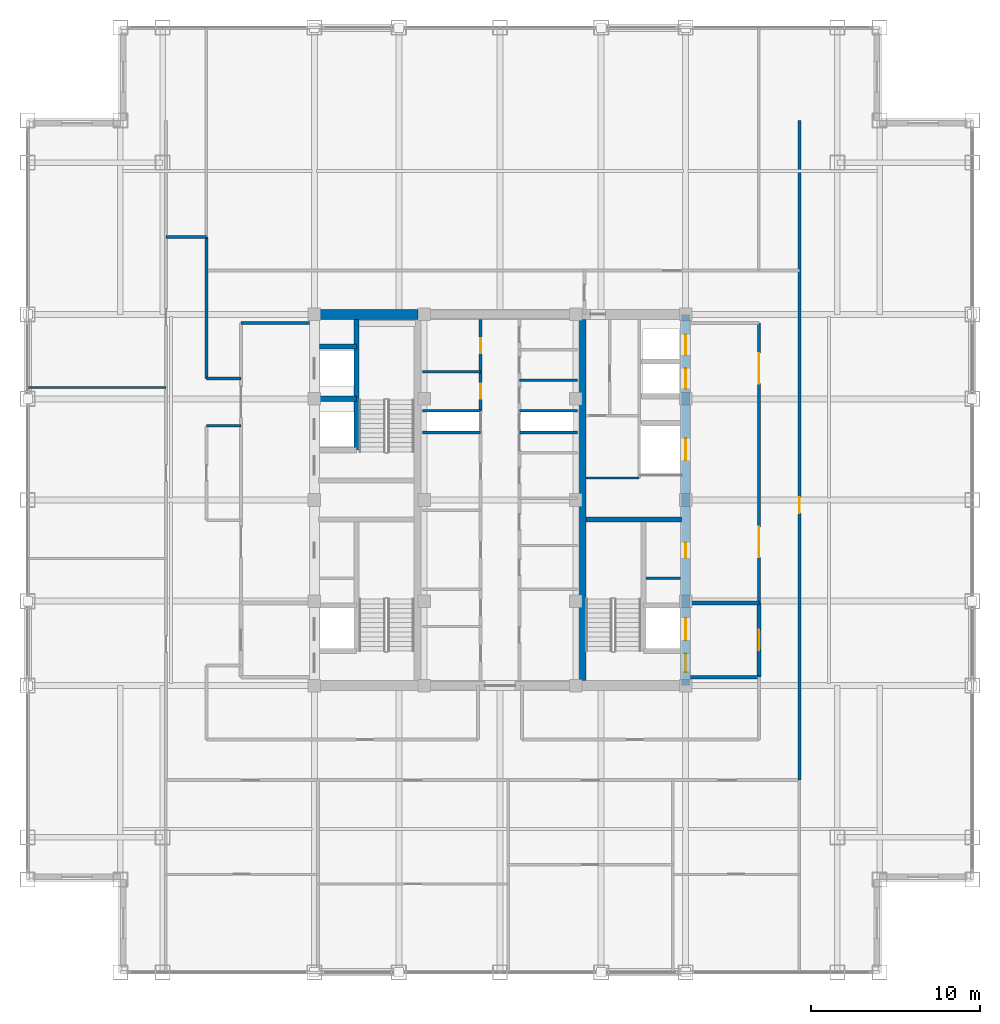
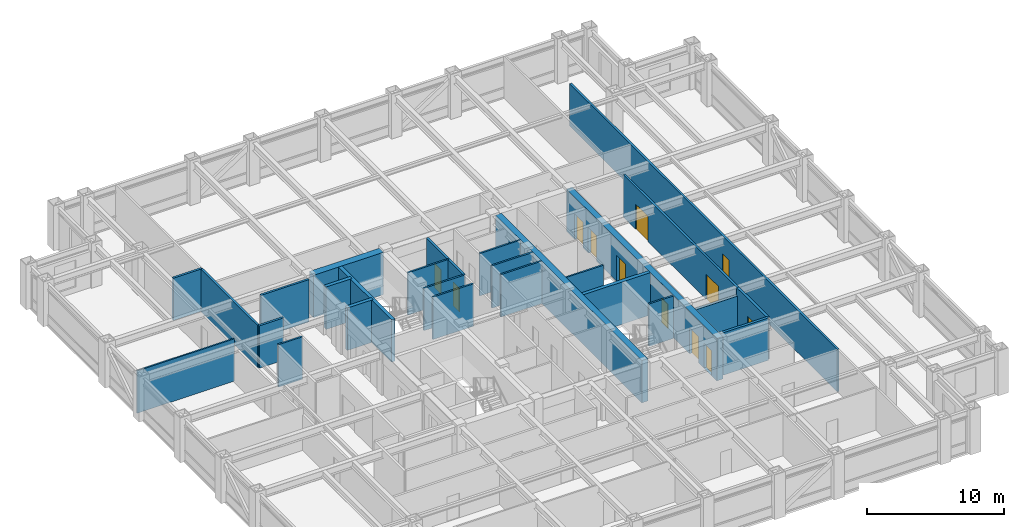
# One storey, part 20 of 22: 27 walls, 12 doors, 12 openings.
"""IFC4 building model written with IfcOpenShell, lengths in metres."""

from ifc_helpers import new_model, si_unit, direction, frame, frame_2d, origin, place, context, subcontext, project, spatial, rectangle, extrude, source, transform, mapped, material, layer, layer_set, type_object, element, fill, save


model = new_model("IFC4")

# Units and contexts
model_context = context("Model", 3, precision=1e-05, world=origin(), true_north=direction((0.0, 1.0)))
body_context = subcontext(model_context, "Body", "Model", "MODEL_VIEW")
ifc_project = project(units=[si_unit("LENGTHUNIT", "METRE"), si_unit("AREAUNIT", "SQUARE_METRE"), si_unit("VOLUMEUNIT", "CUBIC_METRE"), si_unit("PLANEANGLEUNIT", "RADIAN"), si_unit("MASSUNIT", "GRAM", prefix="KILO")], contexts=[model_context])

# Site, building, storey
site_placement = place(None, origin())
site = spatial("IfcSite", under=ifc_project, at=site_placement, CompositionType="ELEMENT")
building_placement = place(site_placement, origin())
building = spatial("IfcBuilding", under=site, at=building_placement, Name="Khorayat Bourse Tower", CompositionType="ELEMENT")
storey_placement = place(building_placement, frame((0.0, 0.0, 297.5)))
storey = spatial("IfcBuildingStorey", under=building, at=storey_placement, Name="L70", CompositionType="ELEMENT", Elevation=297.5)

# Wall, openings, doors
ifc_material_1 = material(Name="Concrete C52/65", Category="concrete")
ifc_layer_1 = layer(ifc_material_1, 0.5)
ifc_layer_set_1 = layer_set([ifc_layer_1], Name="Concrete C52/65")
wall_type_1 = type_object("IfcWallType", Name="WAL-CORE-500", PredefinedType="SHEAR", material=ifc_layer_set_1)
shared_shape_1 = source(origin(), body_context, "Body", "SweptSolid", [
    extrude(rectangle(XDim=22.0, YDim=0.5, at=frame_2d((11.0, 0.0))), origin(), (0.0, 0.0, 1.0), 3.780029296875),
])
wall_1_placement = place(storey_placement, frame((11.0, -11.0, 0.0), z_axis=(0.0, 0.0, 1.0), x_axis=(0.0, 1.0, 0.0)))
wall_1 = element("IfcWall", 1, at=wall_1_placement, inside=storey, type_object=wall_type_1, Name="L70 Core Shear Wall CORE-E", PredefinedType="SHEAR", context=body_context, shape_type="MappedRepresentation", body=[
    mapped(shared_shape_1, transform((0.0, 0.0, 0.0), scale=1.0)),
])
shared_shape_2 = source(origin(), body_context, "Body", "SweptSolid", [
    extrude(rectangle(XDim=1.10009765625, YDim=2.199951171875, at=frame_2d((0.550048828125, 1.10009765625))), frame((0.0, 0.260009765625, 0.0), z_axis=(0.0, -1.0, 0.0), x_axis=(1.0, 0.0, 0.0)), (0.0, 0.0, 1.0), 0.52001953125),
])
opening_1_placement = place(wall_1_placement, frame((0.800048828125, 0.0, 0.0)))
opening_1 = element("IfcOpeningElement", 2, at=opening_1_placement, cuts=wall_1, Name="Opening DI-01", PredefinedType="OPENING", context=body_context, shape_type="MappedRepresentation", body=[
    mapped(shared_shape_2, transform((0.0, 0.0, 0.0), scale=1.0)),
])
shared_shape_3 = source(origin(), body_context, "Body", "SweptSolid", [
    extrude(rectangle(XDim=0.89990234375, YDim=2.14990234375, at=frame_2d((0.449951171875, 1.074951171875))), frame((0.0, 0.260009765625, 0.0), z_axis=(0.0, -1.0, 0.0), x_axis=(1.0, 0.0, 0.0)), (0.0, 0.0, 1.0), 0.52001953125),
])
opening_2_placement = place(wall_1_placement, frame((7.574951171875, 0.0, 0.0)))
opening_2 = element("IfcOpeningElement", 3, at=opening_2_placement, cuts=wall_1, Name="Opening DI-06", PredefinedType="OPENING", context=body_context, shape_type="MappedRepresentation", body=[
    mapped(shared_shape_3, transform((0.0, 0.0, 0.0), scale=1.0)),
])
shared_shape_4 = source(origin(), body_context, "Body", "SweptSolid", [
    extrude(rectangle(XDim=1.199951171875, YDim=2.300048828125, at=frame_2d((0.60009765625, 1.14990234375))), frame((0.0, 0.260009765625, 0.0), z_axis=(0.0, -1.0, 0.0), x_axis=(1.0, 0.0, 0.0)), (0.0, 0.0, 1.0), 0.52001953125),
])
opening_3_placement = place(wall_1_placement, frame((17.60009765625, 0.0, 0.0)))
opening_3 = element("IfcOpeningElement", 4, at=opening_3_placement, cuts=wall_1, Name="Opening LD-01", PredefinedType="OPENING", context=body_context, shape_type="MappedRepresentation", body=[
    mapped(shared_shape_4, transform((0.0, 0.0, 0.0), scale=1.0)),
])
opening_4_placement = place(wall_1_placement, frame((19.60009765625, 0.0, 0.0)))
opening_4 = element("IfcOpeningElement", 5, at=opening_4_placement, cuts=wall_1, Name="Opening LD-01", PredefinedType="OPENING", context=body_context, shape_type="MappedRepresentation", body=[
    mapped(shared_shape_4, transform((0.0, 0.0, 0.0), scale=1.0)),
])
shared_shape_5 = source(origin(), body_context, "Body", "SweptSolid", [
    extrude(rectangle(XDim=1.300048828125, YDim=2.300048828125, at=frame_2d((0.64990234375, 1.14990234375))), frame((0.0, 0.260009765625, 0.0), z_axis=(0.0, -1.0, 0.0), x_axis=(1.0, 0.0, 0.0)), (0.0, 0.0, 1.0), 0.52001953125),
])
opening_5_placement = place(wall_1_placement, frame((2.699951171875, 0.0, 0.0)))
opening_5 = element("IfcOpeningElement", 6, at=opening_5_placement, cuts=wall_1, Name="Opening LD-02", PredefinedType="OPENING", context=body_context, shape_type="MappedRepresentation", body=[
    mapped(shared_shape_5, transform((0.0, 0.0, 0.0), scale=1.0)),
])
opening_6_placement = place(wall_1_placement, frame((13.35009765625, 0.0, 0.0)))
opening_6 = element("IfcOpeningElement", 7, at=opening_6_placement, cuts=wall_1, Name="Opening LD-02", PredefinedType="OPENING", context=body_context, shape_type="MappedRepresentation", body=[
    mapped(shared_shape_5, transform((0.0, 0.0, 0.0), scale=1.0)),
])
ifc_material_2 = material(Name="Fire-rated steel acoustic leaf", Category="steel")
door_type_1 = type_object("IfcDoorType", Name="DR-INT-STAIR-1100", OperationType="NOTDEFINED", PredefinedType="DOOR", material=ifc_material_2)
shared_shape_6 = source(origin(), body_context, "Body", "SweptSolid", [
    extrude(rectangle(XDim=1.10009765625, YDim=2.199951171875, at=frame_2d((0.550048828125, 1.10009765625))), frame((0.0, 0.02490234375, 0.0), z_axis=(0.0, -1.0, 0.0), x_axis=(1.0, 0.0, 0.0)), (0.0, 0.0, 1.0), 0.050048828125),
])
door_1_placement = place(opening_1_placement, origin())
door_1 = element("IfcDoor", 8, at=door_1_placement, inside=storey, type_object=door_type_1, Name="L70 Exit Stair 3 Door", OperationType="SINGLE_SWING_LEFT", OverallHeight=2.199951171875, OverallWidth=1.10009765625, PredefinedType="DOOR", context=body_context, shape_type="MappedRepresentation", body=[
    mapped(shared_shape_6, transform((0.0, 0.0, 0.0), scale=1.0)),
])
fill(opening_1, door_1)
ifc_material_3 = material(Name="Moisture-resistant laminate washroom door")
door_type_2 = type_object("IfcDoorType", Name="DR-INT-WC-900", OperationType="NOTDEFINED", PredefinedType="DOOR", material=ifc_material_3)
shared_shape_7 = source(origin(), body_context, "Body", "SweptSolid", [
    extrude(rectangle(XDim=0.89990234375, YDim=2.14990234375, at=frame_2d((0.449951171875, 1.074951171875))), frame((0.0, 0.02490234375, 0.0), z_axis=(0.0, -1.0, 0.0), x_axis=(1.0, 0.0, 0.0)), (0.0, 0.0, 1.0), 0.050048828125),
])
door_2_placement = place(opening_2_placement, origin())
door_2 = element("IfcDoor", 9, at=door_2_placement, inside=storey, type_object=door_type_2, Name="L70 Fiber Server Plant Room Door", OperationType="SINGLE_SWING_LEFT", OverallHeight=2.14990234375, OverallWidth=0.89990234375, PredefinedType="DOOR", context=body_context, shape_type="MappedRepresentation", body=[
    mapped(shared_shape_7, transform((0.0, 0.0, 0.0), scale=1.0)),
])
fill(opening_2, door_2)
ifc_material_4 = material(Name="Brushed bronze stainless-steel sliding door", Category="steel")
door_type_3 = type_object("IfcDoorType", Name="DR-LIFT-PASS-1200", OperationType="NOTDEFINED", PredefinedType="DOOR", material=ifc_material_4)
shared_shape_8 = source(origin(), body_context, "Body", "SweptSolid", [
    extrude(rectangle(XDim=1.199951171875, YDim=2.300048828125, at=frame_2d((0.60009765625, 1.14990234375))), frame((0.0, 0.02490234375, 0.0), z_axis=(0.0, -1.0, 0.0), x_axis=(1.0, 0.0, 0.0)), (0.0, 0.0, 1.0), 0.050048828125),
])
door_3_placement = place(opening_3_placement, origin())
door_3 = element("IfcDoor", 10, at=door_3_placement, inside=storey, type_object=door_type_3, Name="L70 Lift PL-H3 Sliding Landing Door", OperationType="SLIDING_TO_LEFT", OverallHeight=2.300048828125, OverallWidth=1.199951171875, PredefinedType="DOOR", context=body_context, shape_type="MappedRepresentation", body=[
    mapped(shared_shape_8, transform((0.0, 0.0, 0.0), scale=1.0)),
])
fill(opening_3, door_3)
door_4_placement = place(opening_4_placement, origin())
door_4 = element("IfcDoor", 11, at=door_4_placement, inside=storey, type_object=door_type_3, Name="L70 Lift PL-H4 Sliding Landing Door", OperationType="SLIDING_TO_LEFT", OverallHeight=2.300048828125, OverallWidth=1.199951171875, PredefinedType="DOOR", context=body_context, shape_type="MappedRepresentation", body=[
    mapped(shared_shape_8, transform((0.0, 0.0, 0.0), scale=1.0)),
])
fill(opening_4, door_4)
ifc_material_5 = material(Name="Fire-rated stainless-steel sliding landing door", Category="steel")
door_type_4 = type_object("IfcDoorType", Name="DR-LIFT-FF-1300", OperationType="NOTDEFINED", PredefinedType="DOOR", material=ifc_material_5)
shared_shape_9 = source(origin(), body_context, "Body", "SweptSolid", [
    extrude(rectangle(XDim=1.300048828125, YDim=2.300048828125, at=frame_2d((0.64990234375, 1.14990234375))), frame((0.0, 0.02490234375, 0.0), z_axis=(0.0, -1.0, 0.0), x_axis=(1.0, 0.0, 0.0)), (0.0, 0.0, 1.0), 0.050048828125),
])
door_5_placement = place(opening_5_placement, origin())
door_5 = element("IfcDoor", 12, at=door_5_placement, inside=storey, type_object=door_type_4, Name="L70 Lift FFL-02 Sliding Landing Door", OperationType="SLIDING_TO_LEFT", OverallHeight=2.300048828125, OverallWidth=1.300048828125, PredefinedType="DOOR", context=body_context, shape_type="MappedRepresentation", body=[
    mapped(shared_shape_9, transform((0.0, 0.0, 0.0), scale=1.0)),
])
fill(opening_5, door_5)
door_6_placement = place(opening_6_placement, origin())
door_6 = element("IfcDoor", 13, at=door_6_placement, inside=storey, type_object=door_type_4, Name="L70 Lift SVL-01 Sliding Landing Door", OperationType="SLIDING_TO_LEFT", OverallHeight=2.300048828125, OverallWidth=1.300048828125, PredefinedType="DOOR", context=body_context, shape_type="MappedRepresentation", body=[
    mapped(shared_shape_9, transform((0.0, 0.0, 0.0), scale=1.0)),
])
fill(opening_6, door_6)

# Walls
shared_shape_10 = source(origin(), body_context, "Body", "SweptSolid", [
    extrude(rectangle(XDim=21.39990234375, YDim=0.5, at=frame_2d((10.699951171875, 0.0))), origin(), (0.0, 0.0, 1.0), 3.780029296875),
])
wall_2_placement = place(storey_placement, frame((4.85009765625, -10.699951171875, 0.0), z_axis=(0.0, 0.0, 1.0), x_axis=(0.0, 1.0, 0.0)))
element("IfcWall", 14, at=wall_2_placement, inside=storey, type_object=wall_type_1, Name="L70 Core Shear Wall PIER-E", PredefinedType="SHEAR", context=body_context, shape_type="MappedRepresentation", body=[
    mapped(shared_shape_10, transform((0.0, 0.0, 0.0), scale=1.0)),
])
ifc_material_6 = material(Name="Concrete C60/75", Category="concrete")
ifc_layer_2 = layer(ifc_material_6, 0.60009765625)
ifc_layer_set_2 = layer_set([ifc_layer_2], Name="Concrete C60/75")
wall_type_2 = type_object("IfcWallType", Name="WAL-CORE-600", PredefinedType="SHEAR", material=ifc_layer_set_2)
shared_shape_11 = source(origin(), body_context, "Body", "SweptSolid", [
    extrude(rectangle(XDim=5.89990234375, YDim=0.60009765625, at=frame_2d((2.949951171875, 0.0))), origin(), (0.0, 0.0, 1.0), 3.780029296875),
])
wall_3_placement = place(storey_placement, frame((-10.75, 11.0, 0.0), z_axis=(0.0, 0.0, 1.0), x_axis=(1.0, 0.0, 0.0)))
element("IfcWall", 15, at=wall_3_placement, inside=storey, type_object=wall_type_2, Name="L70 Core Shear Wall PIER-WN", PredefinedType="SHEAR", context=body_context, shape_type="MappedRepresentation", body=[
    mapped(shared_shape_11, transform((0.0, 0.0, 0.0), scale=1.0)),
])
ifc_material_7 = material(Name="Concrete C50/60", Category="concrete")
ifc_layer_3 = layer(ifc_material_7, 0.300048828125)
ifc_layer_set_3 = layer_set([ifc_layer_3], Name="Concrete C50/60")
wall_type_3 = type_object("IfcWallType", Name="WAL-SHAFT-300", PredefinedType="SHEAR", material=ifc_layer_set_3)
shared_shape_12 = source(origin(), body_context, "Body", "SweptSolid", [
    extrude(rectangle(XDim=5.64990234375, YDim=0.300048828125, at=frame_2d((2.824951171875, 0.0))), origin(), (0.0, 0.0, 1.0), 3.780029296875),
])
wall_4_placement = place(storey_placement, frame((5.10009765625, -1.14990234375, 0.0), z_axis=(0.0, 0.0, 1.0), x_axis=(1.0, 0.0, 0.0)))
element("IfcWall", 16, at=wall_4_placement, inside=storey, type_object=wall_type_3, Name="L70 Core Shear Wall ST3-DIV", PredefinedType="SHEAR", context=body_context, shape_type="MappedRepresentation", body=[
    mapped(shared_shape_12, transform((0.0, 0.0, 0.0), scale=1.0)),
])
ifc_material_8 = material(Name="Aerated concrete blockwork", Category="masonry")
ifc_layer_4 = layer(ifc_material_8, 0.219970703125)
ifc_layer_set_4 = layer_set([ifc_layer_4], Name="Aerated concrete blockwork")
wall_type_4 = type_object("IfcWallType", Name="WAL-PART-FF-220", PredefinedType="PARTITIONING", material=ifc_layer_set_4)
shared_shape_13 = source(origin(), body_context, "Body", "SweptSolid", [
    extrude(rectangle(XDim=4.050048828125, YDim=0.219970703125, at=frame_2d((2.02490234375, 0.0))), origin(), (0.0, 0.0, 1.0), 3.0849609375),
])
wall_5_placement = place(storey_placement, frame((11.300048828125, -6.10009765625, 0.0), z_axis=(0.0, 0.0, 1.0), x_axis=(1.0, 0.0, 0.0)))
element("IfcWall", 17, at=wall_5_placement, inside=storey, type_object=wall_type_4, Name="L70 Partition WAL-L70-FFLE-N", PredefinedType="PARTITIONING", context=body_context, shape_type="MappedRepresentation", body=[
    mapped(shared_shape_13, transform((0.0, 0.0, 0.0), scale=1.0)),
])
shared_shape_14 = source(origin(), body_context, "Body", "SweptSolid", [
    extrude(rectangle(XDim=2.199951171875, YDim=0.300048828125, at=frame_2d((1.10009765625, 0.0))), origin(), (0.0, 0.0, 1.0), 3.780029296875),
])
for number, where, z_axis, x_axis, name in (
    (18, (-10.699951171875, 6.0, 0.0), (0.0, 0.0, 1.0), (1.0, 0.0, 0.0), "L70 Partition WAL-L70-WPIER-H12"),
    (19, (-10.699951171875, 9.10009765625, 0.0), (0.0, 0.0, 1.0), (1.0, 0.0, 0.0), "L70 Partition WAL-L70-WPIER-H2N"),
):
    element("IfcWall", number, at=place(storey_placement, frame(where, z_axis=z_axis, x_axis=x_axis)), inside=storey, type_object=wall_type_3, Name=name, PredefinedType="SHEAR", context=body_context, shape_type="MappedRepresentation", body=[
        mapped(shared_shape_14, transform((0.0, 0.0, 0.0), scale=1.0)),
    ])
shared_shape_15 = source(origin(), body_context, "Body", "SweptSolid", [
    extrude(rectangle(XDim=7.75, YDim=0.300048828125, at=frame_2d((3.875, 0.0))), origin(), (0.0, 0.0, 1.0), 3.780029296875),
])
wall_6_placement = place(storey_placement, frame((-8.5, 2.949951171875, 0.0), z_axis=(0.0, 0.0, 1.0), x_axis=(0.0, 1.0, 0.0)))
element("IfcWall", 20, at=wall_6_placement, inside=storey, type_object=wall_type_3, Name="L70 Partition WAL-L70-WPIER-ST2S", PredefinedType="SHEAR", context=body_context, shape_type="MappedRepresentation", body=[
    mapped(shared_shape_15, transform((0.0, 0.0, 0.0), scale=1.0)),
])
ifc_material_9 = material(Name="Gypsum plasterboard twin-frame partition")
ifc_layer_5 = layer(ifc_material_9, 0.14990234375)
ifc_layer_set_5 = layer_set([ifc_layer_5], Name="Gypsum plasterboard twin-frame partition")
wall_type_5 = type_object("IfcWallType", Name="WAL-PART-SUITE-150", PredefinedType="PARTITIONING", material=ifc_layer_set_5)
shared_shape_16 = source(origin(), body_context, "Body", "SweptSolid", [
    extrude(rectangle(XDim=2.050048828125, YDim=0.14990234375, at=frame_2d((1.02490234375, 0.0))), origin(), (0.0, 0.0, 1.0), 3.780029296875),
])
wall_7_placement = place(storey_placement, frame((8.64990234375, -4.64990234375, 0.0), z_axis=(0.0, 0.0, 1.0), x_axis=(1.0, 0.0, 0.0)))
element("IfcWall", 21, at=wall_7_placement, inside=storey, type_object=wall_type_5, Name="L70 Partition WAL-L70-ESRV-S0", PredefinedType="PARTITIONING", context=body_context, shape_type="MappedRepresentation", body=[
    mapped(shared_shape_16, transform((0.0, 0.0, 0.0), scale=1.0)),
])
ifc_material_10 = material(Name="Moisture-resistant masonry partition", Category="masonry")
ifc_layer_6 = layer(ifc_material_10, 0.139892578125)
ifc_layer_set_6 = layer_set([ifc_layer_6], Name="Moisture-resistant masonry partition")
wall_type_6 = type_object("IfcWallType", Name="WAL-PART-WET-140", PredefinedType="PARTITIONING", material=ifc_layer_set_6)
shared_shape_17 = source(origin(), body_context, "Body", "SweptSolid", [
    extrude(rectangle(XDim=3.14990234375, YDim=0.139892578125, at=frame_2d((1.574951171875, 0.0))), origin(), (0.0, 0.0, 1.0), 3.780029296875),
])
wall_8_placement = place(storey_placement, frame((5.10009765625, 1.300048828125, 0.0), z_axis=(0.0, 0.0, 1.0), x_axis=(1.0, 0.0, 0.0)))
element("IfcWall", 22, at=wall_8_placement, inside=storey, type_object=wall_type_6, Name="L70 Partition WAL-L70-ECORE-S", PredefinedType="PARTITIONING", context=body_context, shape_type="MappedRepresentation", body=[
    mapped(shared_shape_17, transform((0.0, 0.0, 0.0), scale=1.0)),
])
shared_shape_18 = source(origin(), body_context, "Body", "SweptSolid", [
    extrude(rectangle(XDim=4.050048828125, YDim=0.219970703125, at=frame_2d((2.02490234375, 0.0))), origin(), (0.0, 0.0, 1.0), 3.780029296875),
])
wall_9_placement = place(storey_placement, frame((11.300048828125, -10.5, 0.0), z_axis=(0.0, 0.0, 1.0), x_axis=(1.0, 0.0, 0.0)))
element("IfcWall", 23, at=wall_9_placement, inside=storey, type_object=wall_type_4, Name="L70 Partition WAL-L70-FFLE-S", PredefinedType="PARTITIONING", context=body_context, shape_type="MappedRepresentation", body=[
    mapped(shared_shape_18, transform((0.0, 0.0, 0.0), scale=1.0)),
])

# Wall, opening, door
shared_shape_19 = source(origin(), body_context, "Body", "SweptSolid", [
    extrude(rectangle(XDim=4.39990234375, YDim=0.219970703125, at=frame_2d((2.199951171875, 0.0))), origin(), (0.0, 0.0, 1.0), 3.780029296875),
])
wall_10_placement = place(storey_placement, frame((15.35009765625, -10.5, 0.0), z_axis=(0.0, 0.0, 1.0), x_axis=(0.0, 1.0, 0.0)))
wall_10 = element("IfcWall", 24, at=wall_10_placement, inside=storey, type_object=wall_type_4, Name="L70 Partition WAL-L70-FFLE-E", PredefinedType="PARTITIONING", context=body_context, shape_type="MappedRepresentation", body=[
    mapped(shared_shape_19, transform((0.0, 0.0, 0.0), scale=1.0)),
])
shared_shape_20 = source(origin(), body_context, "Body", "SweptSolid", [
    extrude(rectangle(XDim=1.199951171875, YDim=2.199951171875, at=frame_2d((0.60009765625, 1.10009765625))), frame((0.0, 0.119873046875, 0.0), z_axis=(0.0, -1.0, 0.0), x_axis=(1.0, 0.0, 0.0)), (0.0, 0.0, 1.0), 0.239990234375),
])
opening_7_placement = place(wall_10_placement, frame((1.60009765625, 0.0, 0.0)))
opening_7 = element("IfcOpeningElement", 25, at=opening_7_placement, cuts=wall_10, Name="Opening DI-02", PredefinedType="OPENING", context=body_context, shape_type="MappedRepresentation", body=[
    mapped(shared_shape_20, transform((0.0, 0.0, 0.0), scale=1.0)),
])
ifc_material_11 = material(Name="Fire-rated steel double-seal leaf", Category="steel")
door_type_5 = type_object("IfcDoorType", Name="DR-INT-FFLOBBY-1200", OperationType="NOTDEFINED", PredefinedType="DOOR", material=ifc_material_11)
shared_shape_21 = source(origin(), body_context, "Body", "SweptSolid", [
    extrude(rectangle(XDim=1.199951171875, YDim=2.199951171875, at=frame_2d((0.60009765625, 1.10009765625))), frame((0.0, 0.02490234375, 0.0), z_axis=(0.0, -1.0, 0.0), x_axis=(1.0, 0.0, 0.0)), (0.0, 0.0, 1.0), 0.050048828125),
])
door_7_placement = place(opening_7_placement, origin())
door_7 = element("IfcDoor", 26, at=door_7_placement, inside=storey, type_object=door_type_5, Name="L70 East Firefighting Lobby Door", OperationType="SINGLE_SWING_RIGHT", OverallHeight=2.199951171875, OverallWidth=1.199951171875, PredefinedType="DOOR", context=body_context, shape_type="MappedRepresentation", body=[
    mapped(shared_shape_21, transform((0.0, 0.0, 0.0), scale=1.0)),
])
fill(opening_7, door_7)

# Wall
ifc_material_12 = material(Name="Gypsum plasterboard acoustic stud wall")
ifc_layer_7 = layer(ifc_material_12, 0.179931640625)
ifc_layer_set_7 = layer_set([ifc_layer_7], Name="Gypsum plasterboard acoustic stud wall")
wall_type_7 = type_object("IfcWallType", Name="WAL-PART-CORR-180", PredefinedType="PARTITIONING", material=ifc_layer_set_7)
shared_shape_22 = source(origin(), body_context, "Body", "SweptSolid", [
    extrude(rectangle(XDim=4.050048828125, YDim=0.179931640625, at=frame_2d((2.02490234375, 0.0))), origin(), (0.0, 0.0, 1.0), 3.780029296875),
])
wall_11_placement = place(storey_placement, frame((-15.35009765625, 10.5, 0.0), z_axis=(0.0, 0.0, 1.0), x_axis=(1.0, 0.0, 0.0)))
element("IfcWall", 27, at=wall_11_placement, inside=storey, type_object=wall_type_7, Name="L70 Partition WAL-L70-WLOB-N", PredefinedType="PARTITIONING", context=body_context, shape_type="MappedRepresentation", body=[
    mapped(shared_shape_22, transform((0.0, 0.0, 0.0), scale=1.0)),
])

# Wall, openings, doors
shared_shape_23 = source(origin(), body_context, "Body", "SweptSolid", [
    extrude(rectangle(XDim=16.60009765625, YDim=0.179931640625, at=frame_2d((8.300048828125, 0.0))), origin(), (0.0, 0.0, 1.0), 3.780029296875),
])
wall_12_placement = place(storey_placement, frame((15.35009765625, -6.10009765625, 0.0), z_axis=(0.0, 0.0, 1.0), x_axis=(0.0, 1.0, 0.0)))
wall_12 = element("IfcWall", 28, at=wall_12_placement, inside=storey, type_object=wall_type_7, Name="L70 Partition WAL-L70-ELOB-E", PredefinedType="PARTITIONING", context=body_context, shape_type="MappedRepresentation", body=[
    mapped(shared_shape_23, transform((0.0, 0.0, 0.0), scale=1.0)),
])
shared_shape_24 = source(origin(), body_context, "Body", "SweptSolid", [
    extrude(rectangle(XDim=1.800048828125, YDim=2.25, at=frame_2d((0.89990234375, 1.125))), frame((0.0, 0.099853515625, 0.0), z_axis=(0.0, -1.0, 0.0), x_axis=(1.0, 0.0, 0.0)), (0.0, 0.0, 1.0), 0.199951171875),
])
opening_8_placement = place(wall_12_placement, frame((2.699951171875, 0.0, 0.0)))
opening_8 = element("IfcOpeningElement", 29, at=opening_8_placement, cuts=wall_12, Name="Opening DI-03", PredefinedType="OPENING", context=body_context, shape_type="MappedRepresentation", body=[
    mapped(shared_shape_24, transform((0.0, 0.0, 0.0), scale=1.0)),
])
opening_9_placement = place(wall_12_placement, frame((13.0, 0.0, 0.0)))
opening_9 = element("IfcOpeningElement", 30, at=opening_9_placement, cuts=wall_12, Name="Opening DI-03", PredefinedType="OPENING", context=body_context, shape_type="MappedRepresentation", body=[
    mapped(shared_shape_24, transform((0.0, 0.0, 0.0), scale=1.0)),
])
ifc_material_13 = material(Name="Fire-rated hardwood vision-panel double leaf", Category="wood")
door_type_6 = type_object("IfcDoorType", Name="DR-INT-CORR-1800", OperationType="NOTDEFINED", PredefinedType="DOOR", material=ifc_material_13)
shared_shape_25 = source(origin(), body_context, "Body", "SweptSolid", [
    extrude(rectangle(XDim=1.800048828125, YDim=2.25, at=frame_2d((0.89990234375, 1.125))), frame((0.0, 0.02490234375, 0.0), z_axis=(0.0, -1.0, 0.0), x_axis=(1.0, 0.0, 0.0)), (0.0, 0.0, 1.0), 0.050048828125),
])
door_8_placement = place(opening_8_placement, origin())
door_8 = element("IfcDoor", 31, at=door_8_placement, inside=storey, type_object=door_type_6, Name="L70 East Core Lobby South Door", OperationType="SINGLE_SWING_RIGHT", OverallHeight=2.25, OverallWidth=1.800048828125, PredefinedType="DOOR", context=body_context, shape_type="MappedRepresentation", body=[
    mapped(shared_shape_25, transform((0.0, 0.0, 0.0), scale=1.0)),
])
fill(opening_8, door_8)
door_9_placement = place(opening_9_placement, origin())
door_9 = element("IfcDoor", 32, at=door_9_placement, inside=storey, type_object=door_type_6, Name="L70 East Core Lobby North Door", OperationType="SINGLE_SWING_LEFT", OverallHeight=2.25, OverallWidth=1.800048828125, PredefinedType="DOOR", context=body_context, shape_type="MappedRepresentation", body=[
    mapped(shared_shape_25, transform((0.0, 0.0, 0.0), scale=1.0)),
])
fill(opening_9, door_9)

# Walls
shared_shape_26 = source(origin(), body_context, "Body", "SweptSolid", [
    extrude(rectangle(XDim=3.4501953125, YDim=0.14990234375, at=frame_2d((1.72509765625, 0.0))), origin(), (0.0, 0.0, 1.0), 3.780029296875),
])
for number, where, z_axis, x_axis, name in (
    (33, (-4.60009765625, 4.0, 0.0), (0.0, 0.0, 1.0), (1.0, 0.0, 0.0), "L70 Partition WAL-L70-CRSW-S"),
    (34, (1.14990234375, 4.0, 0.0), (0.0, 0.0, 1.0), (1.0, 0.0, 0.0), "L70 Partition WAL-L70-CRSE-S"),
    (35, (-4.60009765625, 5.300048828125, 0.0), (0.0, 0.0, 1.0), (1.0, 0.0, 0.0), "L70 Partition WAL-L70-FB2-SW"),
    (36, (1.14990234375, 5.300048828125, 0.0), (0.0, 0.0, 1.0), (1.0, 0.0, 0.0), "L70 Partition WAL-L70-FB2-SE"),
):
    element("IfcWall", number, at=place(storey_placement, frame(where, z_axis=z_axis, x_axis=x_axis)), inside=storey, type_object=wall_type_5, Name=name, PredefinedType="PARTITIONING", context=body_context, shape_type="MappedRepresentation", body=[
        mapped(shared_shape_26, transform((0.0, 0.0, 0.0), scale=1.0)),
    ])

# Wall, openings, doors
shared_shape_27 = source(origin(), body_context, "Body", "SweptSolid", [
    extrude(rectangle(XDim=5.39990234375, YDim=0.179931640625, at=frame_2d((2.699951171875, 0.0))), origin(), (0.0, 0.0, 1.0), 3.780029296875),
])
wall_13_placement = place(storey_placement, frame((-1.14990234375, 5.300048828125, 0.0), z_axis=(0.0, 0.0, 1.0), x_axis=(0.0, 1.0, 0.0)))
wall_13 = element("IfcWall", 37, at=wall_13_placement, inside=storey, type_object=wall_type_7, Name="L70 Partition WAL-L70-FB2W-L", PredefinedType="PARTITIONING", context=body_context, shape_type="MappedRepresentation", body=[
    mapped(shared_shape_27, transform((0.0, 0.0, 0.0), scale=1.0)),
])
shared_shape_28 = source(origin(), body_context, "Body", "SweptSolid", [
    extrude(rectangle(XDim=0.89990234375, YDim=2.14990234375, at=frame_2d((0.449951171875, 1.074951171875))), frame((0.0, 0.099853515625, 0.0), z_axis=(0.0, -1.0, 0.0), x_axis=(1.0, 0.0, 0.0)), (0.0, 0.0, 1.0), 0.199951171875),
])
opening_10_placement = place(wall_13_placement, frame((0.699951171875, 0.0, 0.0)))
opening_10 = element("IfcOpeningElement", 38, at=opening_10_placement, cuts=wall_13, Name="Opening DI-06", PredefinedType="OPENING", context=body_context, shape_type="MappedRepresentation", body=[
    mapped(shared_shape_28, transform((0.0, 0.0, 0.0), scale=1.0)),
])
opening_11_placement = place(wall_13_placement, frame((3.39990234375, 0.0, 0.0)))
opening_11 = element("IfcOpeningElement", 39, at=opening_11_placement, cuts=wall_13, Name="Opening DI-06", PredefinedType="OPENING", context=body_context, shape_type="MappedRepresentation", body=[
    mapped(shared_shape_28, transform((0.0, 0.0, 0.0), scale=1.0)),
])
door_10_placement = place(opening_10_placement, origin())
door_10 = element("IfcDoor", 40, at=door_10_placement, inside=storey, type_object=door_type_2, Name="L70 Board Archive Store Door", OperationType="SINGLE_SWING_RIGHT", OverallHeight=2.14990234375, OverallWidth=0.89990234375, PredefinedType="DOOR", context=body_context, shape_type="MappedRepresentation", body=[
    mapped(shared_shape_7, transform((0.0, 0.0, 0.0), scale=1.0)),
])
fill(opening_10, door_10)
door_11_placement = place(opening_11_placement, origin())
door_11 = element("IfcDoor", 41, at=door_11_placement, inside=storey, type_object=door_type_2, Name="L70 Smoke Control Plant Room Door", OperationType="SINGLE_SWING_LEFT", OverallHeight=2.14990234375, OverallWidth=0.89990234375, PredefinedType="DOOR", context=body_context, shape_type="MappedRepresentation", body=[
    mapped(shared_shape_7, transform((0.0, 0.0, 0.0), scale=1.0)),
])
fill(opening_11, door_11)

# Walls
shared_shape_29 = source(origin(), body_context, "Body", "SweptSolid", [
    extrude(rectangle(XDim=3.4501953125, YDim=0.139892578125, at=frame_2d((1.72509765625, 0.0))), origin(), (0.0, 0.0, 1.0), 3.780029296875),
])
for number, where, z_axis, x_axis, name in (
    (42, (-4.60009765625, 7.60009765625, 0.0), (0.0, 0.0, 1.0), (1.0, 0.0, 0.0), "L70 Partition WAL-L70-FB2W-D1"),
    (43, (1.14990234375, 7.10009765625, 0.0), (0.0, 0.0, 1.0), (1.0, 0.0, 0.0), "L70 Partition WAL-L70-FB2E-D1"),
):
    element("IfcWall", number, at=place(storey_placement, frame(where, z_axis=z_axis, x_axis=x_axis)), inside=storey, type_object=wall_type_6, Name=name, PredefinedType="PARTITIONING", context=body_context, shape_type="MappedRepresentation", body=[
        mapped(shared_shape_29, transform((0.0, 0.0, 0.0), scale=1.0)),
    ])
shared_shape_30 = source(origin(), body_context, "Body", "SweptSolid", [
    extrude(rectangle(XDim=2.0498046875, YDim=0.14990234375, at=frame_2d((1.02490234375, 0.0))), origin(), (0.0, 0.0, 1.0), 3.780029296875),
])
wall_14_placement = place(storey_placement, frame((-17.39990234375, 4.39990234375, 0.0), z_axis=(0.0, 0.0, 1.0), x_axis=(1.0, 0.0, 0.0)))
element("IfcWall", 44, at=wall_14_placement, inside=storey, type_object=wall_type_5, Name="L70 Partition WAL-L70-PKWM-N", PredefinedType="PARTITIONING", context=body_context, shape_type="MappedRepresentation", body=[
    mapped(shared_shape_30, transform((0.0, 0.0, 0.0), scale=1.0)),
])
shared_shape_31 = source(origin(), body_context, "Body", "SweptSolid", [
    extrude(rectangle(XDim=2.0498046875, YDim=0.179931640625, at=frame_2d((1.02490234375, 0.0))), origin(), (0.0, 0.0, 1.0), 3.780029296875),
])
wall_15_placement = place(storey_placement, frame((-17.39990234375, 7.199951171875, 0.0), z_axis=(0.0, 0.0, 1.0), x_axis=(1.0, 0.0, 0.0)))
element("IfcWall", 45, at=wall_15_placement, inside=storey, type_object=wall_type_7, Name="L70 Partition WAL-L70-THRWN-T", PredefinedType="PARTITIONING", context=body_context, shape_type="MappedRepresentation", body=[
    mapped(shared_shape_31, transform((0.0, 0.0, 0.0), scale=1.0)),
])
shared_shape_32 = source(origin(), body_context, "Body", "SweptSolid", [
    extrude(rectangle(XDim=8.400146484375, YDim=0.179931640625, at=frame_2d((4.2001953125, 0.0))), origin(), (0.0, 0.0, 1.0), 3.780029296875),
])
wall_16_placement = place(storey_placement, frame((-17.39990234375, 7.199951171875, 0.0), z_axis=(0.0, 0.0, 1.0), x_axis=(0.0, 1.0, 0.0)))
element("IfcWall", 46, at=wall_16_placement, inside=storey, type_object=wall_type_7, Name="L70 Partition WAL-L70-THRWN-N", PredefinedType="PARTITIONING", context=body_context, shape_type="MappedRepresentation", body=[
    mapped(shared_shape_32, transform((0.0, 0.0, 0.0), scale=1.0)),
])
shared_shape_33 = source(origin(), body_context, "Body", "SweptSolid", [
    extrude(rectangle(XDim=2.400146484375, YDim=0.179931640625, at=frame_2d((1.2001953125, 0.0))), origin(), (0.0, 0.0, 1.0), 3.780029296875),
])
wall_17_placement = place(storey_placement, frame((-19.800048828125, 15.60009765625, 0.0), z_axis=(0.0, 0.0, 1.0), x_axis=(1.0, 0.0, 0.0)))
element("IfcWall", 47, at=wall_17_placement, inside=storey, type_object=wall_type_7, Name="L70 Partition WAL-L70-GALW-N", PredefinedType="PARTITIONING", context=body_context, shape_type="MappedRepresentation", body=[
    mapped(shared_shape_33, transform((0.0, 0.0, 0.0), scale=1.0)),
])
ifc_material_14 = material(Name="Gypsum plasterboard partition")
ifc_layer_8 = layer(ifc_material_14, 0.125)
ifc_layer_set_8 = layer_set([ifc_layer_8], Name="Gypsum plasterboard partition")
wall_type_8 = type_object("IfcWallType", Name="WAL-PART-ROOM-125", PredefinedType="PARTITIONING", material=ifc_layer_set_8)
shared_shape_34 = source(origin(), body_context, "Body", "SweptSolid", [
    extrude(rectangle(XDim=8.199951171875, YDim=0.125, at=frame_2d((4.10009765625, 0.0))), origin(), (0.0, 0.0, 1.0), 3.780029296875),
])
wall_18_placement = place(storey_placement, frame((-28.0, 6.659912109375, 0.0), z_axis=(0.0, 0.0, 1.0), x_axis=(1.0, 0.0, 0.0)))
element("IfcWall", 48, at=wall_18_placement, inside=storey, type_object=wall_type_8, Name="L70 Partition WAL-L70-WDV-2", PredefinedType="PARTITIONING", context=body_context, shape_type="MappedRepresentation", body=[
    mapped(shared_shape_34, transform((0.0, 0.0, 0.0), scale=1.0)),
])

# Wall, opening, door
shared_shape_35 = source(origin(), body_context, "Body", "SweptSolid", [
    extrude(rectangle(XDim=39.10009765625, YDim=0.179931640625, at=frame_2d((19.550048828125, 0.0))), origin(), (0.0, 0.0, 1.0), 3.780029296875),
])
wall_19_placement = place(storey_placement, frame((17.75, -16.60009765625, 0.0), z_axis=(0.0, 0.0, 1.0), x_axis=(0.0, 1.0, 0.0)))
wall_19 = element("IfcWall", 49, at=wall_19_placement, inside=storey, type_object=wall_type_7, Name="L70 Partition WAL-L70-ECORR", PredefinedType="PARTITIONING", context=body_context, shape_type="MappedRepresentation", body=[
    mapped(shared_shape_35, transform((0.0, 0.0, 0.0), scale=1.0)),
])
shared_shape_36 = source(origin(), body_context, "Body", "SweptSolid", [
    extrude(rectangle(XDim=0.949951171875, YDim=2.14990234375, at=frame_2d((0.47509765625, 1.074951171875))), frame((0.0, 0.099853515625, 0.0), z_axis=(0.0, -1.0, 0.0), x_axis=(1.0, 0.0, 0.0)), (0.0, 0.0, 1.0), 0.199951171875),
])
opening_12_placement = place(wall_19_placement, frame((15.824951171875, 0.0, 0.0)))
opening_12 = element("IfcOpeningElement", 50, at=opening_12_placement, cuts=wall_19, Name="Opening DI-05", PredefinedType="OPENING", context=body_context, shape_type="MappedRepresentation", body=[
    mapped(shared_shape_36, transform((0.0, 0.0, 0.0), scale=1.0)),
])
ifc_material_15 = material(Name="Acoustic oak veneer office door")
door_type_7 = type_object("IfcDoorType", Name="DR-INT-OFFICE-950", OperationType="NOTDEFINED", PredefinedType="DOOR", material=ifc_material_15)
shared_shape_37 = source(origin(), body_context, "Body", "SweptSolid", [
    extrude(rectangle(XDim=0.949951171875, YDim=2.14990234375, at=frame_2d((0.47509765625, 1.074951171875))), frame((0.0, 0.02490234375, 0.0), z_axis=(0.0, -1.0, 0.0), x_axis=(1.0, 0.0, 0.0)), (0.0, 0.0, 1.0), 0.050048828125),
])
door_12_placement = place(opening_12_placement, origin())
door_12 = element("IfcDoor", 51, at=door_12_placement, inside=storey, type_object=door_type_7, Name="L70 Financial Training Classroom E1 Door", OperationType="SINGLE_SWING_RIGHT", OverallHeight=2.14990234375, OverallWidth=0.949951171875, PredefinedType="DOOR", context=body_context, shape_type="MappedRepresentation", body=[
    mapped(shared_shape_37, transform((0.0, 0.0, 0.0), scale=1.0)),
])
fill(opening_12, door_12)

save(model, "model.ifc")
